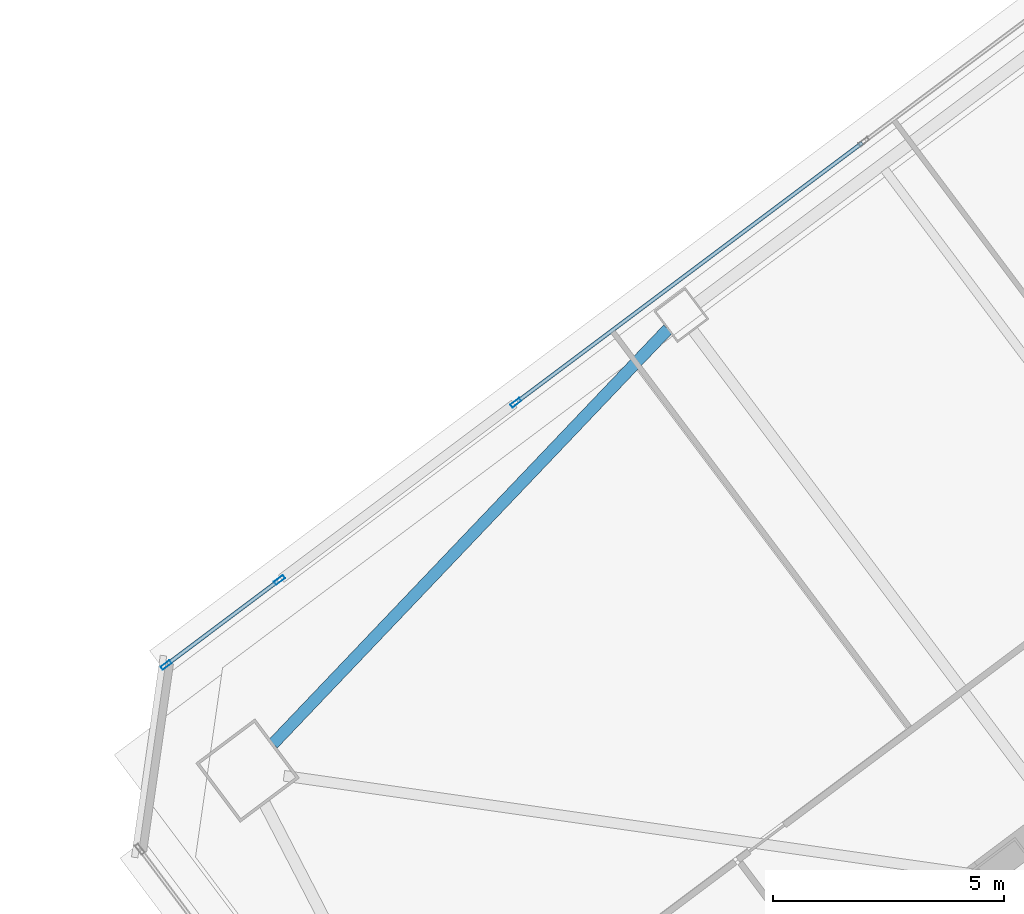
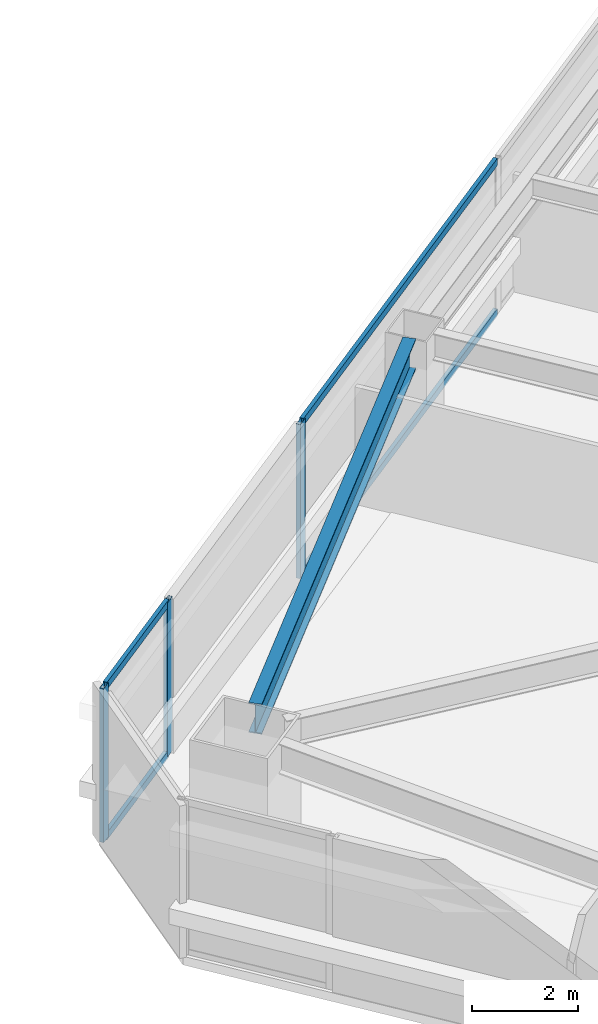
# One storey, part 29 of 48: 7 members, 1 beam, 2 elements without a shape of their own.
"""IFC4 building model written with IfcOpenShell, lengths in metres."""

from ifc_helpers import new_model, si_unit, direction, frame, origin, origin_2d, place, context, subcontext, project, spatial, hollow_rectangle, i_section, extrude, material, material_profile, profile_set, type_object, element, aggregate, save


model = new_model("IFC4")

# Units and contexts
model_context = context("Model", 3, precision=1e-05, world=origin(), true_north=direction((0.0, 1.0)))
body_context = subcontext(model_context, "Body", "Model", "MODEL_VIEW")
ifc_project = project(units=[si_unit("LENGTHUNIT", "METRE"), si_unit("AREAUNIT", "SQUARE_METRE"), si_unit("VOLUMEUNIT", "CUBIC_METRE"), si_unit("PLANEANGLEUNIT", "RADIAN"), si_unit("MASSUNIT", "GRAM", prefix="KILO")], contexts=[model_context])

# Site, building, storey
site_placement = place(None, origin())
site = spatial("IfcSite", under=ifc_project, at=site_placement, CompositionType="ELEMENT")
building_placement = place(site_placement, origin())
building = spatial("IfcBuilding", under=site, at=building_placement, Name="Tashvorn Skyway Center", CompositionType="ELEMENT")
storey_placement = place(building_placement, frame((0.0, 0.0, 53.0)))
storey = spatial("IfcBuildingStorey", under=building, at=storey_placement, Name="L13", CompositionType="ELEMENT", Elevation=53.0)

# Beam
ifc_material_1 = material(Name="Steel ASTM A992 Grade 50", Category="steel")
ifc_material_profile_1 = material_profile(ifc_material_1, i_section(OverallWidth=0.256103515625, OverallDepth=0.693115234375, WebThickness=0.014404296875, FlangeThickness=0.023681640625, at=origin_2d()), Name="W27X114")
ifc_profile_set_1 = profile_set([ifc_material_profile_1], Name="Steel ASTM A992 Grade 50")
beam_type = type_object("IfcBeamType", Name="BM-SPANDREL-W27X114", PredefinedType="SPANDREL", material=ifc_profile_set_1)
beam_placement = place(storey_placement, frame((96.76025390625, 45.2958984375, 3.00341796875), z_axis=(-0.689589637236, -0.724200339835, 0.0), x_axis=(0.724200339835, -0.689589637236, 0.0)))
element("IfcBeam", 1, at=beam_placement, inside=storey, type_object=beam_type, Name="Tower 2 L13 Spandrel Beam 09", PredefinedType="SPANDREL", context=body_context, shape_type="SweptSolid", body=[
    extrude(i_section(OverallWidth=0.256103515625, OverallDepth=0.693115234375, WebThickness=0.014404296875, FlangeThickness=0.023681640625, at=origin_2d()), origin(), (0.0, 0.0, 1.0), 12.37255859375),
])

# Curtain wall, members
ifc_material_2 = material(Name="Thermally broken bronze-anodized aluminium 6063-T6", Category="aluminium")
curtain_wall_type = type_object("IfcCurtainWallType", Name="CW-CW-Z1", PredefinedType="NOTDEFINED", material=ifc_material_2)
curtain_wall_1_placement = place(storey_placement, origin())
curtain_wall_1 = element("IfcCurtainWall", 2, at=curtain_wall_1_placement, inside=storey, type_object=curtain_wall_type, Name="Tower 2 L13 North Unitised Curtain Wall Glazing Group 1", PredefinedType="NOTDEFINED")
ifc_material_profile_2 = material_profile(ifc_material_2, hollow_rectangle(XDim=0.0849609375, YDim=0.239990234375, WallThickness=0.0048828125, at=origin_2d()), Name="ALU-MULL-85x240")
ifc_profile_set_2 = profile_set([ifc_material_profile_2], Name="Thermally broken bronze-anodized aluminium 6063-T6")
member_type_1 = type_object("IfcMemberType", Name="CWM-CW-Z1", PredefinedType="MULLION", material=ifc_profile_set_2)
member_1_placement = place(storey_placement, frame((85.922119140625, 38.04150390625, 0.0), z_axis=(0.0, 0.0, 1.0), x_axis=(-0.600005084776, 0.799996186392, 0.0)))
member_1 = element("IfcMember", 3, at=member_1_placement, type_object=member_type_1, Name="CW-Z1 mullion 1", PredefinedType="MULLION", context=body_context, shape_type="SweptSolid", body=[
    extrude(hollow_rectangle(XDim=0.0849609375, YDim=0.239990234375, WallThickness=0.0048828125, at=origin_2d()), origin(), (0.0, 0.0, 1.0), 3.550048828125),
])
member_2_placement = place(storey_placement, frame((88.371337890625, 39.87841796875, 0.0), z_axis=(0.0, 0.0, 1.0), x_axis=(-0.600005084776, 0.799996186392, 0.0)))
member_2 = element("IfcMember", 4, at=member_2_placement, type_object=member_type_1, Name="CW-Z1 mullion 2", PredefinedType="MULLION", context=body_context, shape_type="SweptSolid", body=[
    extrude(hollow_rectangle(XDim=0.0849609375, YDim=0.239990234375, WallThickness=0.0048828125, at=origin_2d()), origin(), (0.0, 0.0, 1.0), 3.550048828125),
])

# Curtain wall, member
curtain_wall_2_placement = place(storey_placement, origin())
curtain_wall_2 = element("IfcCurtainWall", 5, at=curtain_wall_2_placement, inside=storey, type_object=curtain_wall_type, Name="Tower 2 L13 North Unitised Curtain Wall Glazing Group 2", PredefinedType="NOTDEFINED")
member_3_placement = place(storey_placement, frame((93.47412109375, 43.70556640625, 0.0), z_axis=(0.0, 0.0, 1.0), x_axis=(-0.600000000002, 0.799999999998, 0.0)))
member_3 = element("IfcMember", 6, at=member_3_placement, type_object=member_type_1, Name="CW-Z1 mullion 1", PredefinedType="MULLION", context=body_context, shape_type="SweptSolid", body=[
    extrude(hollow_rectangle(XDim=0.0849609375, YDim=0.239990234375, WallThickness=0.0048828125, at=origin_2d()), origin(), (0.0, 0.0, 1.0), 3.550048828125),
])

# Member
ifc_material_profile_3 = material_profile(ifc_material_2, hollow_rectangle(XDim=0.0849609375, YDim=0.1650390625, WallThickness=0.0048828125, at=origin_2d()), Name="ALU-TRAN-85x165")
ifc_profile_set_3 = profile_set([ifc_material_profile_3], Name="Thermally broken bronze-anodized aluminium 6063-T6")
member_type_2 = type_object("IfcMemberType", Name="CWT-CW-Z1", PredefinedType="USERDEFINED", material=ifc_profile_set_3)
member_4_placement = place(storey_placement, frame((85.9560546875, 38.06689453125, 0.04248046875), z_axis=(0.799980315822, 0.600026244674, 0.0), x_axis=(-0.600026244674, 0.799980315822, 0.0)))
member_4 = element("IfcMember", 7, at=member_4_placement, type_object=member_type_2, Name="CW-Z1 transom 1.1", ObjectType="TRANSOM", PredefinedType="USERDEFINED", context=body_context, shape_type="SweptSolid", body=[
    extrude(hollow_rectangle(XDim=0.0849609375, YDim=0.1650390625, WallThickness=0.0048828125, at=origin_2d()), origin(), (0.0, 0.0, 1.0), 2.976806640625),
])

member_5_placement = place(storey_placement, frame((85.9560546875, 38.06689453125, 3.507568359375), z_axis=(0.799980315822, 0.600026244674, 0.0), x_axis=(-0.600026244674, 0.799980315822, 0.0)))
member_5 = element("IfcMember", 8, at=member_5_placement, type_object=member_type_2, Name="CW-Z1 transom 1.2", ObjectType="TRANSOM", PredefinedType="USERDEFINED", context=body_context, shape_type="SweptSolid", body=[
    extrude(hollow_rectangle(XDim=0.0849609375, YDim=0.1650390625, WallThickness=0.0048828125, at=origin_2d()), origin(), (0.0, 0.0, 1.0), 2.976806640625),
])

aggregate(curtain_wall_1, [member_1, member_2, member_4, member_5])

member_6_placement = place(storey_placement, frame((93.508056640625, 43.73095703125, 0.04248046875), z_axis=(0.799990562031, 0.600012583752, 0.0), x_axis=(-0.600012583752, 0.799990562031, 0.0)))
member_6 = element("IfcMember", 9, at=member_6_placement, type_object=member_type_2, Name="CW-Z1 transom 1.1", ObjectType="TRANSOM", PredefinedType="USERDEFINED", context=body_context, shape_type="SweptSolid", body=[
    extrude(hollow_rectangle(XDim=0.0849609375, YDim=0.1650390625, WallThickness=0.0048828125, at=origin_2d()), origin(), (0.0, 0.0, 1.0), 9.3125),
])

member_7_placement = place(storey_placement, frame((93.508056640625, 43.73095703125, 3.507568359375), z_axis=(0.799990562031, 0.600012583752, 0.0), x_axis=(-0.600012583752, 0.799990562031, 0.0)))
member_7 = element("IfcMember", 10, at=member_7_placement, type_object=member_type_2, Name="CW-Z1 transom 1.2", ObjectType="TRANSOM", PredefinedType="USERDEFINED", context=body_context, shape_type="SweptSolid", body=[
    extrude(hollow_rectangle(XDim=0.0849609375, YDim=0.1650390625, WallThickness=0.0048828125, at=origin_2d()), origin(), (0.0, 0.0, 1.0), 9.3125),
])

aggregate(curtain_wall_2, [member_3, member_6, member_7])

save(model, "model.ifc")
